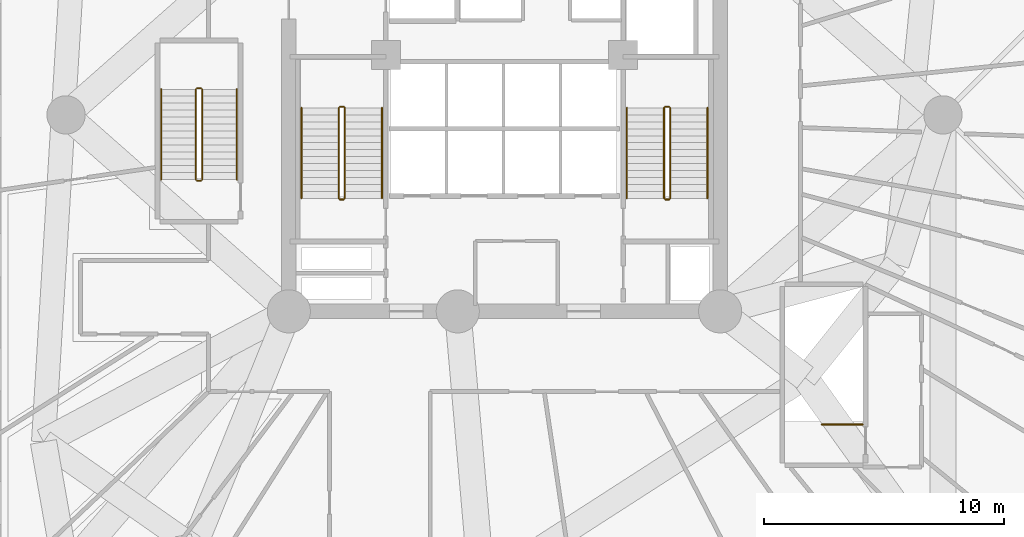
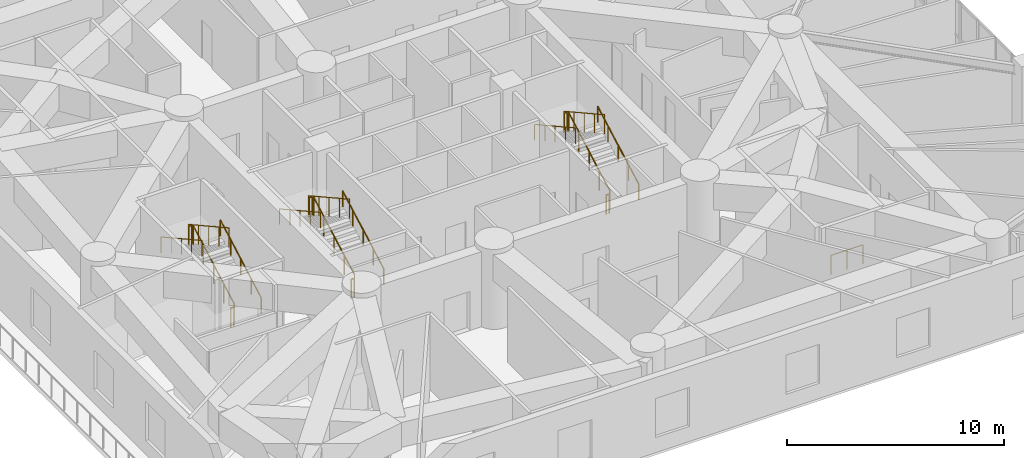
# One storey, part 21 of 22: 19 railings.
"""IFC4 building model written with IfcOpenShell, lengths in metres."""

from ifc_helpers import new_model, si_unit, direction, frame, origin, origin_2d, place, context, subcontext, project, spatial, circle, extrude, material, layer, layer_set, type_object, element, save


model = new_model("IFC4")

# Units and contexts
model_context = context("Model", 3, precision=1e-05, world=origin(), true_north=direction((0.0, 1.0)))
body_context = subcontext(model_context, "Body", "Model", "MODEL_VIEW")
ifc_project = project(units=[si_unit("LENGTHUNIT", "METRE"), si_unit("AREAUNIT", "SQUARE_METRE"), si_unit("VOLUMEUNIT", "CUBIC_METRE"), si_unit("PLANEANGLEUNIT", "RADIAN"), si_unit("MASSUNIT", "GRAM", prefix="KILO")], contexts=[model_context])

# Site, building, storey
site_placement = place(None, origin())
site = spatial("IfcSite", under=ifc_project, at=site_placement, CompositionType="ELEMENT")
building_placement = place(site_placement, origin())
building = spatial("IfcBuilding", under=site, at=building_placement, Name="Karkom Vertical University and Central Library", CompositionType="ELEMENT")
storey_placement = place(building_placement, frame((0.0, 0.0, 18.0)))
storey = spatial("IfcBuildingStorey", under=building, at=storey_placement, Name="L04", CompositionType="ELEMENT", Elevation=18.0)

# Railings
ifc_material_1 = material(Name="Painted galvanised steel balustrade", Category="steel")
ifc_layer_1 = layer(ifc_material_1, 0.06005859375)
ifc_layer_set_1 = layer_set([ifc_layer_1], Name="Painted galvanised steel balustrade")
railing_type_1 = type_object("IfcRailingType", Name="INT-RL-GUARD1100", PredefinedType="GUARDRAIL", material=ifc_layer_set_1)
railing_1_placement = place(storey_placement, frame((21.840087890625, 23.02001953125, 0.16064453125)))
element("IfcRailing", 1, at=railing_1_placement, inside=storey, type_object=railing_type_1, Name="Level 04 ST-1 stair guard 1", PredefinedType="GUARDRAIL", context=body_context, shape_type="SweptSolid", body=[
    extrude(circle(Radius=0.02392578125, at=origin_2d()), frame((0.0, 0.0, 1.076171875), z_axis=(0.0, 0.874659101714, 0.484738543742), x_axis=(-1.0, 0.0, 0.0)), (0.0, 0.0, 1.0), 4.310302734375),
    extrude(circle(Radius=0.02099609375, at=origin_2d()), origin(), (0.0, 0.0, 1.0), 1.052001953125),
    extrude(circle(Radius=0.02099609375, at=origin_2d()), frame((0.0, 0.9423828125, 0.5224609375)), (0.0, 0.0, 1.0), 1.052001953125),
    extrude(circle(Radius=0.02099609375, at=origin_2d()), frame((0.0, 1.885009765625, 1.044677734375)), (0.0, 0.0, 1.0), 1.052001953125),
    extrude(circle(Radius=0.02099609375, at=origin_2d()), frame((0.0, 2.82763671875, 1.56689453125)), (0.0, 0.0, 1.0), 1.052001953125),
    extrude(circle(Radius=0.02099609375, at=origin_2d()), frame((0.0, 3.77001953125, 2.08935546875)), (0.0, 0.0, 1.0), 1.052001953125),
])
railing_2_placement = place(storey_placement, frame((21.7900390625, 26.840087890625, 2.25)))
element("IfcRailing", 2, at=railing_2_placement, inside=storey, type_object=railing_type_1, Name="Level 04 ST-1 stair guard 2", PredefinedType="GUARDRAIL", context=body_context, shape_type="SweptSolid", body=[
    extrude(circle(Radius=0.02392578125, at=origin_2d()), frame((0.0, 0.0, 1.076171875), z_axis=(-1.0, 0.0, 0.0), x_axis=(0.0, -1.0, 0.0)), (0.0, 0.0, 1.0), 0.16015625),
    extrude(circle(Radius=0.02099609375, at=origin_2d()), origin(), (0.0, 0.0, 1.0), 1.052001953125),
    extrude(circle(Radius=0.02099609375, at=origin_2d()), frame((-0.16015625, 0.0, 0.0)), (0.0, 0.0, 1.0), 1.052001953125),
])
railing_3_placement = place(storey_placement, frame((21.580078125, 26.7900390625, 2.41064453125)))
element("IfcRailing", 3, at=railing_3_placement, inside=storey, type_object=railing_type_1, Name="Level 04 ST-1 stair guard 3", PredefinedType="GUARDRAIL", context=body_context, shape_type="SweptSolid", body=[
    extrude(circle(Radius=0.02392578125, at=origin_2d()), frame((0.0, 0.0, 1.076171875), z_axis=(0.0, -0.874659101714, 0.484738543742), x_axis=(1.0, 0.0, 0.0)), (0.0, 0.0, 1.0), 4.310302734375),
    extrude(circle(Radius=0.02099609375, at=origin_2d()), origin(), (0.0, 0.0, 1.0), 1.052001953125),
    extrude(circle(Radius=0.02099609375, at=origin_2d()), frame((0.0, -0.9423828125, 0.5224609375)), (0.0, 0.0, 1.0), 1.052001953125),
    extrude(circle(Radius=0.02099609375, at=origin_2d()), frame((0.0, -1.885009765625, 1.044677734375)), (0.0, 0.0, 1.0), 1.052001953125),
    extrude(circle(Radius=0.02099609375, at=origin_2d()), frame((0.0, -2.82763671875, 1.56689453125)), (0.0, 0.0, 1.0), 1.052001953125),
    extrude(circle(Radius=0.02099609375, at=origin_2d()), frame((0.0, -3.77001953125, 2.08935546875)), (0.0, 0.0, 1.0), 1.052001953125),
])
railing_4_placement = place(storey_placement, frame((21.7900390625, 22.969970703125, 0.0)))
element("IfcRailing", 4, at=railing_4_placement, inside=storey, type_object=railing_type_1, Name="Level 04 ST-1 stair guard 4", PredefinedType="GUARDRAIL", context=body_context, shape_type="SweptSolid", body=[
    extrude(circle(Radius=0.02392578125, at=origin_2d()), frame((0.0, 0.0, 1.076171875), z_axis=(-1.0, 0.0, 0.0), x_axis=(0.0, -1.0, 0.0)), (0.0, 0.0, 1.0), 0.16015625),
    extrude(circle(Radius=0.02099609375, at=origin_2d()), origin(), (0.0, 0.0, 1.0), 1.052001953125),
    extrude(circle(Radius=0.02099609375, at=origin_2d()), frame((-0.16015625, 0.0, 0.0)), (0.0, 0.0, 1.0), 1.052001953125),
])
railing_5_placement = place(storey_placement, frame((35.419921875, 23.02001953125, 0.16064453125)))
element("IfcRailing", 5, at=railing_5_placement, inside=storey, type_object=railing_type_1, Name="Level 04 ST-2 stair guard 1", PredefinedType="GUARDRAIL", context=body_context, shape_type="SweptSolid", body=[
    extrude(circle(Radius=0.02392578125, at=origin_2d()), frame((0.0, 0.0, 1.076171875), z_axis=(0.0, 0.874659101714, 0.484738543742), x_axis=(-1.0, 0.0, 0.0)), (0.0, 0.0, 1.0), 4.310302734375),
    extrude(circle(Radius=0.02099609375, at=origin_2d()), origin(), (0.0, 0.0, 1.0), 1.052001953125),
    extrude(circle(Radius=0.02099609375, at=origin_2d()), frame((0.0, 0.9423828125, 0.5224609375)), (0.0, 0.0, 1.0), 1.052001953125),
    extrude(circle(Radius=0.02099609375, at=origin_2d()), frame((0.0, 1.885009765625, 1.044677734375)), (0.0, 0.0, 1.0), 1.052001953125),
    extrude(circle(Radius=0.02099609375, at=origin_2d()), frame((0.0, 2.82763671875, 1.56689453125)), (0.0, 0.0, 1.0), 1.052001953125),
    extrude(circle(Radius=0.02099609375, at=origin_2d()), frame((0.0, 3.77001953125, 2.08935546875)), (0.0, 0.0, 1.0), 1.052001953125),
])
railing_6_placement = place(storey_placement, frame((35.3701171875, 26.840087890625, 2.25)))
element("IfcRailing", 6, at=railing_6_placement, inside=storey, type_object=railing_type_1, Name="Level 04 ST-2 stair guard 2", PredefinedType="GUARDRAIL", context=body_context, shape_type="SweptSolid", body=[
    extrude(circle(Radius=0.02392578125, at=origin_2d()), frame((0.0, 0.0, 1.076171875), z_axis=(-1.0, 0.0, 0.0), x_axis=(0.0, -1.0, 0.0)), (0.0, 0.0, 1.0), 0.16015625),
    extrude(circle(Radius=0.02099609375, at=origin_2d()), origin(), (0.0, 0.0, 1.0), 1.052001953125),
    extrude(circle(Radius=0.02099609375, at=origin_2d()), frame((-0.16015625, 0.0, 0.0)), (0.0, 0.0, 1.0), 1.052001953125),
])
railing_7_placement = place(storey_placement, frame((35.159912109375, 26.7900390625, 2.41064453125)))
element("IfcRailing", 7, at=railing_7_placement, inside=storey, type_object=railing_type_1, Name="Level 04 ST-2 stair guard 3", PredefinedType="GUARDRAIL", context=body_context, shape_type="SweptSolid", body=[
    extrude(circle(Radius=0.02392578125, at=origin_2d()), frame((0.0, 0.0, 1.076171875), z_axis=(0.0, -0.874659101714, 0.484738543742), x_axis=(1.0, 0.0, 0.0)), (0.0, 0.0, 1.0), 4.310302734375),
    extrude(circle(Radius=0.02099609375, at=origin_2d()), origin(), (0.0, 0.0, 1.0), 1.052001953125),
    extrude(circle(Radius=0.02099609375, at=origin_2d()), frame((0.0, -0.9423828125, 0.5224609375)), (0.0, 0.0, 1.0), 1.052001953125),
    extrude(circle(Radius=0.02099609375, at=origin_2d()), frame((0.0, -1.885009765625, 1.044677734375)), (0.0, 0.0, 1.0), 1.052001953125),
    extrude(circle(Radius=0.02099609375, at=origin_2d()), frame((0.0, -2.82763671875, 1.56689453125)), (0.0, 0.0, 1.0), 1.052001953125),
    extrude(circle(Radius=0.02099609375, at=origin_2d()), frame((0.0, -3.77001953125, 2.08935546875)), (0.0, 0.0, 1.0), 1.052001953125),
])
railing_8_placement = place(storey_placement, frame((35.3701171875, 22.969970703125, 0.0)))
element("IfcRailing", 8, at=railing_8_placement, inside=storey, type_object=railing_type_1, Name="Level 04 ST-2 stair guard 4", PredefinedType="GUARDRAIL", context=body_context, shape_type="SweptSolid", body=[
    extrude(circle(Radius=0.02392578125, at=origin_2d()), frame((0.0, 0.0, 1.076171875), z_axis=(-1.0, 0.0, 0.0), x_axis=(0.0, -1.0, 0.0)), (0.0, 0.0, 1.0), 0.16015625),
    extrude(circle(Radius=0.02099609375, at=origin_2d()), origin(), (0.0, 0.0, 1.0), 1.052001953125),
    extrude(circle(Radius=0.02099609375, at=origin_2d()), frame((-0.16015625, 0.0, 0.0)), (0.0, 0.0, 1.0), 1.052001953125),
])
railing_9_placement = place(storey_placement, frame((15.8798828125, 23.800048828125, 0.16064453125)))
element("IfcRailing", 9, at=railing_9_placement, inside=storey, type_object=railing_type_1, Name="Level 04 ST-3 stair guard 1", PredefinedType="GUARDRAIL", context=body_context, shape_type="SweptSolid", body=[
    extrude(circle(Radius=0.02392578125, at=origin_2d()), frame((0.0, 0.0, 1.076171875), z_axis=(0.0, 0.874659101714, 0.484738543742), x_axis=(-1.0, 0.0, 0.0)), (0.0, 0.0, 1.0), 4.310302734375),
    extrude(circle(Radius=0.02099609375, at=origin_2d()), origin(), (0.0, 0.0, 1.0), 1.052001953125),
    extrude(circle(Radius=0.02099609375, at=origin_2d()), frame((0.0, 0.9423828125, 0.5224609375)), (0.0, 0.0, 1.0), 1.052001953125),
    extrude(circle(Radius=0.02099609375, at=origin_2d()), frame((0.0, 1.885009765625, 1.044677734375)), (0.0, 0.0, 1.0), 1.052001953125),
    extrude(circle(Radius=0.02099609375, at=origin_2d()), frame((0.0, 2.82763671875, 1.56689453125)), (0.0, 0.0, 1.0), 1.052001953125),
    extrude(circle(Radius=0.02099609375, at=origin_2d()), frame((0.0, 3.77001953125, 2.08935546875)), (0.0, 0.0, 1.0), 1.052001953125),
])
railing_10_placement = place(storey_placement, frame((15.830078125, 27.6201171875, 2.25)))
element("IfcRailing", 10, at=railing_10_placement, inside=storey, type_object=railing_type_1, Name="Level 04 ST-3 stair guard 2", PredefinedType="GUARDRAIL", context=body_context, shape_type="SweptSolid", body=[
    extrude(circle(Radius=0.02392578125, at=origin_2d()), frame((0.0, 0.0, 1.076171875), z_axis=(-1.0, 0.0, 0.0), x_axis=(0.0, -1.0, 0.0)), (0.0, 0.0, 1.0), 0.16015625),
    extrude(circle(Radius=0.02099609375, at=origin_2d()), origin(), (0.0, 0.0, 1.0), 1.052001953125),
    extrude(circle(Radius=0.02099609375, at=origin_2d()), frame((-0.16015625, 0.0, 0.0)), (0.0, 0.0, 1.0), 1.052001953125),
])
railing_11_placement = place(storey_placement, frame((15.6201171875, 27.570068359375, 2.41064453125)))
element("IfcRailing", 11, at=railing_11_placement, inside=storey, type_object=railing_type_1, Name="Level 04 ST-3 stair guard 3", PredefinedType="GUARDRAIL", context=body_context, shape_type="SweptSolid", body=[
    extrude(circle(Radius=0.02392578125, at=origin_2d()), frame((0.0, 0.0, 1.076171875), z_axis=(0.0, -0.874659101714, 0.484738543742), x_axis=(1.0, 0.0, 0.0)), (0.0, 0.0, 1.0), 4.310302734375),
    extrude(circle(Radius=0.02099609375, at=origin_2d()), origin(), (0.0, 0.0, 1.0), 1.052001953125),
    extrude(circle(Radius=0.02099609375, at=origin_2d()), frame((0.0, -0.9423828125, 0.5224609375)), (0.0, 0.0, 1.0), 1.052001953125),
    extrude(circle(Radius=0.02099609375, at=origin_2d()), frame((0.0, -1.885009765625, 1.044677734375)), (0.0, 0.0, 1.0), 1.052001953125),
    extrude(circle(Radius=0.02099609375, at=origin_2d()), frame((0.0, -2.82763671875, 1.56689453125)), (0.0, 0.0, 1.0), 1.052001953125),
    extrude(circle(Radius=0.02099609375, at=origin_2d()), frame((0.0, -3.77001953125, 2.08935546875)), (0.0, 0.0, 1.0), 1.052001953125),
])
railing_12_placement = place(storey_placement, frame((15.830078125, 23.75, 0.0)))
element("IfcRailing", 12, at=railing_12_placement, inside=storey, type_object=railing_type_1, Name="Level 04 ST-3 stair guard 4", PredefinedType="GUARDRAIL", context=body_context, shape_type="SweptSolid", body=[
    extrude(circle(Radius=0.02392578125, at=origin_2d()), frame((0.0, 0.0, 1.076171875), z_axis=(-1.0, 0.0, 0.0), x_axis=(0.0, -1.0, 0.0)), (0.0, 0.0, 1.0), 0.16015625),
    extrude(circle(Radius=0.02099609375, at=origin_2d()), origin(), (0.0, 0.0, 1.0), 1.052001953125),
    extrude(circle(Radius=0.02099609375, at=origin_2d()), frame((-0.16015625, 0.0, 0.0)), (0.0, 0.0, 1.0), 1.052001953125),
])
railing_13_placement = place(storey_placement, frame((43.4599609375, 13.580078125, 0.0)))
element("IfcRailing", 13, at=railing_13_placement, inside=storey, type_object=railing_type_1, Name="Level 04 POD-ST1 top well guard 1", PredefinedType="GUARDRAIL", context=body_context, shape_type="SweptSolid", body=[
    extrude(circle(Radius=0.02392578125, at=origin_2d()), frame((0.0, 0.0, 1.076171875), z_axis=(-1.0, 0.0, 0.0), x_axis=(0.0, -1.0, 0.0)), (0.0, 0.0, 1.0), 1.7099609375),
    extrude(circle(Radius=0.02099609375, at=origin_2d()), origin(), (0.0, 0.0, 1.0), 1.052001953125),
    extrude(circle(Radius=0.02099609375, at=origin_2d()), frame((-0.85498046875, 0.0, 0.0)), (0.0, 0.0, 1.0), 1.052001953125),
    extrude(circle(Radius=0.02099609375, at=origin_2d()), frame((-1.7099609375, 0.0, 0.0)), (0.0, 0.0, 1.0), 1.052001953125),
])
ifc_material_2 = material(Name="Brushed stainless-steel tubular handrail", Category="steel")
ifc_layer_2 = layer(ifc_material_2, 0.048095703125)
ifc_layer_set_2 = layer_set([ifc_layer_2], Name="Brushed stainless-steel tubular handrail")
railing_type_2 = type_object("IfcRailingType", Name="INT-RL-HAND920", PredefinedType="HANDRAIL", material=ifc_layer_set_2)
railing_14_placement = place(storey_placement, frame((23.389892578125, 23.02001953125, 0.16064453125)))
element("IfcRailing", 14, at=railing_14_placement, inside=storey, type_object=railing_type_2, Name="Level 04 ST-1 stair handrail 1", PredefinedType="HANDRAIL", context=body_context, shape_type="SweptSolid", body=[
    extrude(circle(Radius=0.02392578125, at=origin_2d()), frame((0.0, 0.0, 0.8759765625), z_axis=(0.0, 0.874659101714, 0.484738543742), x_axis=(-1.0, 0.0, 0.0)), (0.0, 0.0, 1.0), 4.310302734375),
    extrude(circle(Radius=0.02099609375, at=origin_2d()), origin(), (0.0, 0.0, 1.0), 0.851806640625),
    extrude(circle(Radius=0.02099609375, at=origin_2d()), frame((0.0, 0.9423828125, 0.5224609375)), (0.0, 0.0, 1.0), 0.851806640625),
    extrude(circle(Radius=0.02099609375, at=origin_2d()), frame((0.0, 1.885009765625, 1.044677734375)), (0.0, 0.0, 1.0), 0.851806640625),
    extrude(circle(Radius=0.02099609375, at=origin_2d()), frame((0.0, 2.82763671875, 1.56689453125)), (0.0, 0.0, 1.0), 0.851806640625),
    extrude(circle(Radius=0.02099609375, at=origin_2d()), frame((0.0, 3.77001953125, 2.08935546875)), (0.0, 0.0, 1.0), 0.851806640625),
])
railing_15_placement = place(storey_placement, frame((20.030029296875, 26.7900390625, 2.41064453125)))
element("IfcRailing", 15, at=railing_15_placement, inside=storey, type_object=railing_type_2, Name="Level 04 ST-1 stair handrail 2", PredefinedType="HANDRAIL", context=body_context, shape_type="SweptSolid", body=[
    extrude(circle(Radius=0.02392578125, at=origin_2d()), frame((0.0, 0.0, 0.8759765625), z_axis=(0.0, -0.874659101714, 0.484738543742), x_axis=(1.0, 0.0, 0.0)), (0.0, 0.0, 1.0), 4.310302734375),
    extrude(circle(Radius=0.02099609375, at=origin_2d()), origin(), (0.0, 0.0, 1.0), 0.851806640625),
    extrude(circle(Radius=0.02099609375, at=origin_2d()), frame((0.0, -0.9423828125, 0.5224609375)), (0.0, 0.0, 1.0), 0.851806640625),
    extrude(circle(Radius=0.02099609375, at=origin_2d()), frame((0.0, -1.885009765625, 1.044677734375)), (0.0, 0.0, 1.0), 0.851806640625),
    extrude(circle(Radius=0.02099609375, at=origin_2d()), frame((0.0, -2.82763671875, 1.56689453125)), (0.0, 0.0, 1.0), 0.851806640625),
    extrude(circle(Radius=0.02099609375, at=origin_2d()), frame((0.0, -3.77001953125, 2.08935546875)), (0.0, 0.0, 1.0), 0.851806640625),
])
railing_16_placement = place(storey_placement, frame((36.969970703125, 23.02001953125, 0.16064453125)))
element("IfcRailing", 16, at=railing_16_placement, inside=storey, type_object=railing_type_2, Name="Level 04 ST-2 stair handrail 1", PredefinedType="HANDRAIL", context=body_context, shape_type="SweptSolid", body=[
    extrude(circle(Radius=0.02392578125, at=origin_2d()), frame((0.0, 0.0, 0.8759765625), z_axis=(0.0, 0.874659101714, 0.484738543742), x_axis=(-1.0, 0.0, 0.0)), (0.0, 0.0, 1.0), 4.310302734375),
    extrude(circle(Radius=0.02099609375, at=origin_2d()), origin(), (0.0, 0.0, 1.0), 0.851806640625),
    extrude(circle(Radius=0.02099609375, at=origin_2d()), frame((0.0, 0.9423828125, 0.5224609375)), (0.0, 0.0, 1.0), 0.851806640625),
    extrude(circle(Radius=0.02099609375, at=origin_2d()), frame((0.0, 1.885009765625, 1.044677734375)), (0.0, 0.0, 1.0), 0.851806640625),
    extrude(circle(Radius=0.02099609375, at=origin_2d()), frame((0.0, 2.82763671875, 1.56689453125)), (0.0, 0.0, 1.0), 0.851806640625),
    extrude(circle(Radius=0.02099609375, at=origin_2d()), frame((0.0, 3.77001953125, 2.08935546875)), (0.0, 0.0, 1.0), 0.851806640625),
])
railing_17_placement = place(storey_placement, frame((33.610107421875, 26.7900390625, 2.41064453125)))
element("IfcRailing", 17, at=railing_17_placement, inside=storey, type_object=railing_type_2, Name="Level 04 ST-2 stair handrail 2", PredefinedType="HANDRAIL", context=body_context, shape_type="SweptSolid", body=[
    extrude(circle(Radius=0.02392578125, at=origin_2d()), frame((0.0, 0.0, 0.8759765625), z_axis=(0.0, -0.874659101714, 0.484738543742), x_axis=(1.0, 0.0, 0.0)), (0.0, 0.0, 1.0), 4.310302734375),
    extrude(circle(Radius=0.02099609375, at=origin_2d()), origin(), (0.0, 0.0, 1.0), 0.851806640625),
    extrude(circle(Radius=0.02099609375, at=origin_2d()), frame((0.0, -0.9423828125, 0.5224609375)), (0.0, 0.0, 1.0), 0.851806640625),
    extrude(circle(Radius=0.02099609375, at=origin_2d()), frame((0.0, -1.885009765625, 1.044677734375)), (0.0, 0.0, 1.0), 0.851806640625),
    extrude(circle(Radius=0.02099609375, at=origin_2d()), frame((0.0, -2.82763671875, 1.56689453125)), (0.0, 0.0, 1.0), 0.851806640625),
    extrude(circle(Radius=0.02099609375, at=origin_2d()), frame((0.0, -3.77001953125, 2.08935546875)), (0.0, 0.0, 1.0), 0.851806640625),
])
railing_18_placement = place(storey_placement, frame((17.330078125, 23.800048828125, 0.16064453125)))
element("IfcRailing", 18, at=railing_18_placement, inside=storey, type_object=railing_type_2, Name="Level 04 ST-3 stair handrail 1", PredefinedType="HANDRAIL", context=body_context, shape_type="SweptSolid", body=[
    extrude(circle(Radius=0.02392578125, at=origin_2d()), frame((0.0, 0.0, 0.8759765625), z_axis=(0.0, 0.874659101714, 0.484738543742), x_axis=(-1.0, 0.0, 0.0)), (0.0, 0.0, 1.0), 4.310302734375),
    extrude(circle(Radius=0.02099609375, at=origin_2d()), origin(), (0.0, 0.0, 1.0), 0.851806640625),
    extrude(circle(Radius=0.02099609375, at=origin_2d()), frame((0.0, 0.9423828125, 0.5224609375)), (0.0, 0.0, 1.0), 0.851806640625),
    extrude(circle(Radius=0.02099609375, at=origin_2d()), frame((0.0, 1.885009765625, 1.044677734375)), (0.0, 0.0, 1.0), 0.851806640625),
    extrude(circle(Radius=0.02099609375, at=origin_2d()), frame((0.0, 2.82763671875, 1.56689453125)), (0.0, 0.0, 1.0), 0.851806640625),
    extrude(circle(Radius=0.02099609375, at=origin_2d()), frame((0.0, 3.77001953125, 2.08935546875)), (0.0, 0.0, 1.0), 0.851806640625),
])
railing_19_placement = place(storey_placement, frame((14.169921875, 27.570068359375, 2.41064453125)))
element("IfcRailing", 19, at=railing_19_placement, inside=storey, type_object=railing_type_2, Name="Level 04 ST-3 stair handrail 2", PredefinedType="HANDRAIL", context=body_context, shape_type="SweptSolid", body=[
    extrude(circle(Radius=0.02392578125, at=origin_2d()), frame((0.0, 0.0, 0.8759765625), z_axis=(0.0, -0.874659101714, 0.484738543742), x_axis=(1.0, 0.0, 0.0)), (0.0, 0.0, 1.0), 4.310302734375),
    extrude(circle(Radius=0.02099609375, at=origin_2d()), origin(), (0.0, 0.0, 1.0), 0.851806640625),
    extrude(circle(Radius=0.02099609375, at=origin_2d()), frame((0.0, -0.9423828125, 0.5224609375)), (0.0, 0.0, 1.0), 0.851806640625),
    extrude(circle(Radius=0.02099609375, at=origin_2d()), frame((0.0, -1.885009765625, 1.044677734375)), (0.0, 0.0, 1.0), 0.851806640625),
    extrude(circle(Radius=0.02099609375, at=origin_2d()), frame((0.0, -2.82763671875, 1.56689453125)), (0.0, 0.0, 1.0), 0.851806640625),
    extrude(circle(Radius=0.02099609375, at=origin_2d()), frame((0.0, -3.77001953125, 2.08935546875)), (0.0, 0.0, 1.0), 0.851806640625),
])

save(model, "model.ifc")
